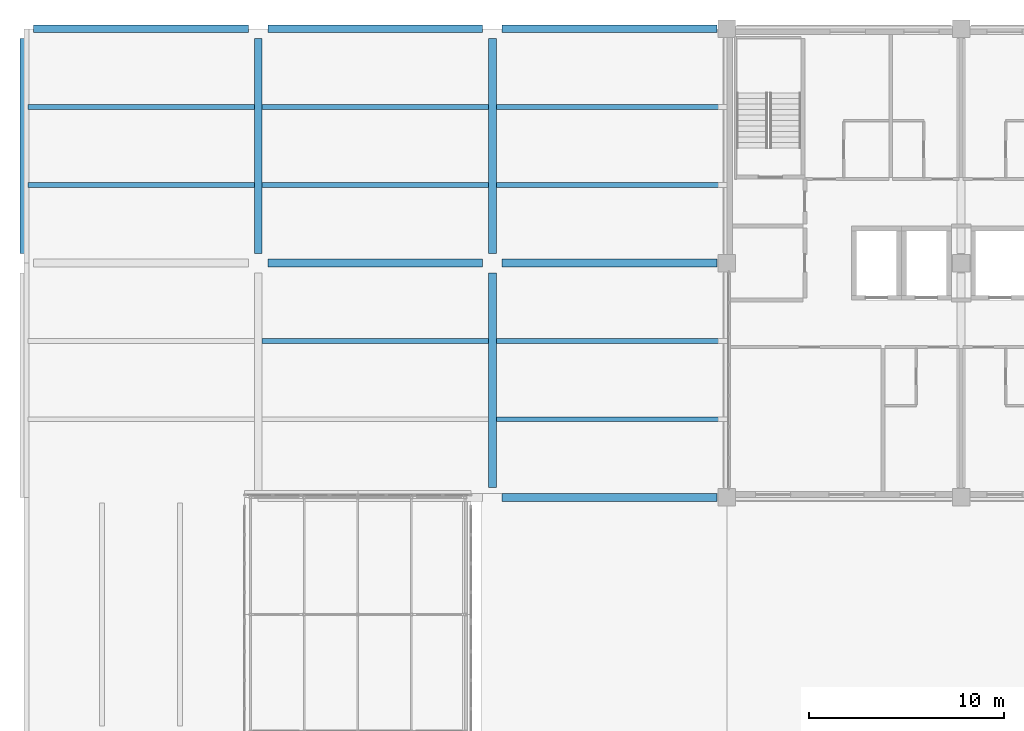
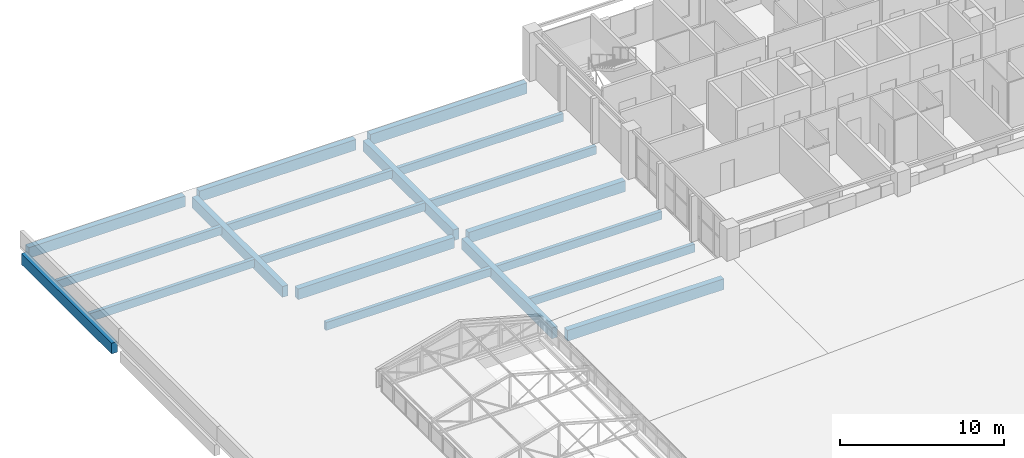
# One storey, part 63 of 94: 19 beams.
"""IFC4 building model written with IfcOpenShell, lengths in metres."""

from ifc_helpers import new_model, si_unit, direction, frame, origin, origin_2d, place, context, subcontext, project, spatial, rectangle, extrude, material, material_profile, profile_set, type_object, element, save


model = new_model("IFC4")

# Units and contexts
model_context = context("Model", 3, precision=1e-05, world=origin(), true_north=direction((0.0, 1.0)))
body_context = subcontext(model_context, "Body", "Model", "MODEL_VIEW")
ifc_project = project(units=[si_unit("LENGTHUNIT", "METRE"), si_unit("AREAUNIT", "SQUARE_METRE"), si_unit("VOLUMEUNIT", "CUBIC_METRE"), si_unit("PLANEANGLEUNIT", "RADIAN"), si_unit("MASSUNIT", "GRAM", prefix="KILO")], contexts=[model_context])

# Site, building, storey
site_placement = place(None, origin())
site = spatial("IfcSite", under=ifc_project, at=site_placement, CompositionType="ELEMENT")
building_placement = place(site_placement, origin())
building = spatial("IfcBuilding", under=site, at=building_placement, Name="Lilac Gate Convention Centre", CompositionType="ELEMENT")
storey_placement = place(building_placement, frame((0.0, 0.0, 21.0)))
storey = spatial("IfcBuildingStorey", under=building, at=storey_placement, Name="L04", CompositionType="ELEMENT", Elevation=21.0)

# Beams
ifc_material = material(Name="Concrete C40", Category="concrete")
ifc_material_profile_1 = material_profile(ifc_material, rectangle(XDim=0.39990234375, YDim=0.800048828125, at=origin_2d()), Name="RC 400x800")
ifc_profile_set_1 = profile_set([ifc_material_profile_1], Name="Concrete C40")
beam_type_1 = type_object("IfcBeamType", Name="Tower primary beam 400x800 C40", PredefinedType="BEAM", material=ifc_profile_set_1)
for number, where, z_axis, x_axis, name in (
    (1, (30.5, 222.0, -0.60009765625), (1.0, 0.0, 0.0), (0.0, 1.0, 0.0), "RB3 L04 3/S-4/S"),
    (2, (18.5, 234.0, -0.60009765625), (1.0, 0.0, 0.0), (0.0, 1.0, 0.0), "RB3 L04 2/T-3/T"),
    (3, (30.5, 234.0, -0.60009765625), (1.0, 0.0, 0.0), (0.0, 1.0, 0.0), "RB3 L04 3/T-4/T"),
    (4, (6.5, 246.0, -0.60009765625), (1.0, 0.0, 0.0), (0.0, 1.0, 0.0), "RB3 L04 1/U-2/U"),
    (5, (18.5, 246.0, -0.60009765625), (1.0, 0.0, 0.0), (0.0, 1.0, 0.0), "RB3 L04 2/U-3/U"),
    (6, (30.5, 246.0, -0.60009765625), (1.0, 0.0, 0.0), (0.0, 1.0, 0.0), "RB3 L04 3/U-4/U"),
    (7, (6.0, 234.5, -0.60009765625), (0.0, 1.0, 0.0), (-1.0, 0.0, 0.0), "RB3 L04 1/T-1/U"),
    (8, (18.0, 234.5, -0.60009765625), (0.0, 1.0, 0.0), (-1.0, 0.0, 0.0), "RB3 L04 2/T-2/U"),
    (9, (30.0, 222.5, -0.60009765625), (0.0, 1.0, 0.0), (-1.0, 0.0, 0.0), "RB3 L04 3/S-3/T"),
    (10, (30.0, 234.5, -0.60009765625), (0.0, 1.0, 0.0), (-1.0, 0.0, 0.0), "RB3 L04 3/T-3/U"),
):
    element("IfcBeam", number, at=place(storey_placement, frame(where, z_axis=z_axis, x_axis=x_axis)), inside=storey, type_object=beam_type_1, Name=name, PredefinedType="BEAM", context=body_context, shape_type="SweptSolid", body=[
        extrude(rectangle(XDim=0.39990234375, YDim=0.800048828125, at=origin_2d()), origin(), (0.0, 0.0, 1.0), 11.0),
    ])
ifc_material_profile_2 = material_profile(ifc_material, rectangle(XDim=0.25, YDim=0.60009765625, at=origin_2d()), Name="RC 250x600")
ifc_profile_set_2 = profile_set([ifc_material_profile_2], Name="Concrete C40")
beam_type_2 = type_object("IfcBeamType", Name="Tower secondary beam 250x600 C40", PredefinedType="BEAM", material=ifc_profile_set_2)
for number, where, z_axis, x_axis, name in (
    (11, (6.199951171875, 238.0, -0.5), (1.0, 0.0, 0.0), (0.0, 1.0, 0.0), "RB4 L04 bay 1/T"),
    (12, (6.199951171875, 242.0, -0.5), (1.0, 0.0, 0.0), (0.0, 1.0, 0.0), "RB4 L04 bay 1/T"),
    (13, (18.199951171875, 230.0, -0.5), (1.0, 0.0, 0.0), (0.0, 1.0, 0.0), "RB4 L04 bay 2/S"),
    (14, (18.199951171875, 238.0, -0.5), (1.0, 0.0, 0.0), (0.0, 1.0, 0.0), "RB4 L04 bay 2/T"),
    (15, (18.199951171875, 242.0, -0.5), (1.0, 0.0, 0.0), (0.0, 1.0, 0.0), "RB4 L04 bay 2/T"),
    (16, (30.199951171875, 226.0, -0.5), (1.0, 0.0, 0.0), (0.0, 1.0, 0.0), "RB4 L04 bay 3/S"),
    (17, (30.199951171875, 230.0, -0.5), (1.0, 0.0, 0.0), (0.0, 1.0, 0.0), "RB4 L04 bay 3/S"),
    (18, (30.199951171875, 238.0, -0.5), (1.0, 0.0, 0.0), (0.0, 1.0, 0.0), "RB4 L04 bay 3/T"),
    (19, (30.199951171875, 242.0, -0.5), (1.0, 0.0, 0.0), (0.0, 1.0, 0.0), "RB4 L04 bay 3/T"),
):
    element("IfcBeam", number, at=place(storey_placement, frame(where, z_axis=z_axis, x_axis=x_axis)), inside=storey, type_object=beam_type_2, Name=name, PredefinedType="BEAM", context=body_context, shape_type="SweptSolid", body=[
        extrude(rectangle(XDim=0.25, YDim=0.60009765625, at=origin_2d()), origin(), (0.0, 0.0, 1.0), 11.60009765625),
    ])

save(model, "model.ifc")
